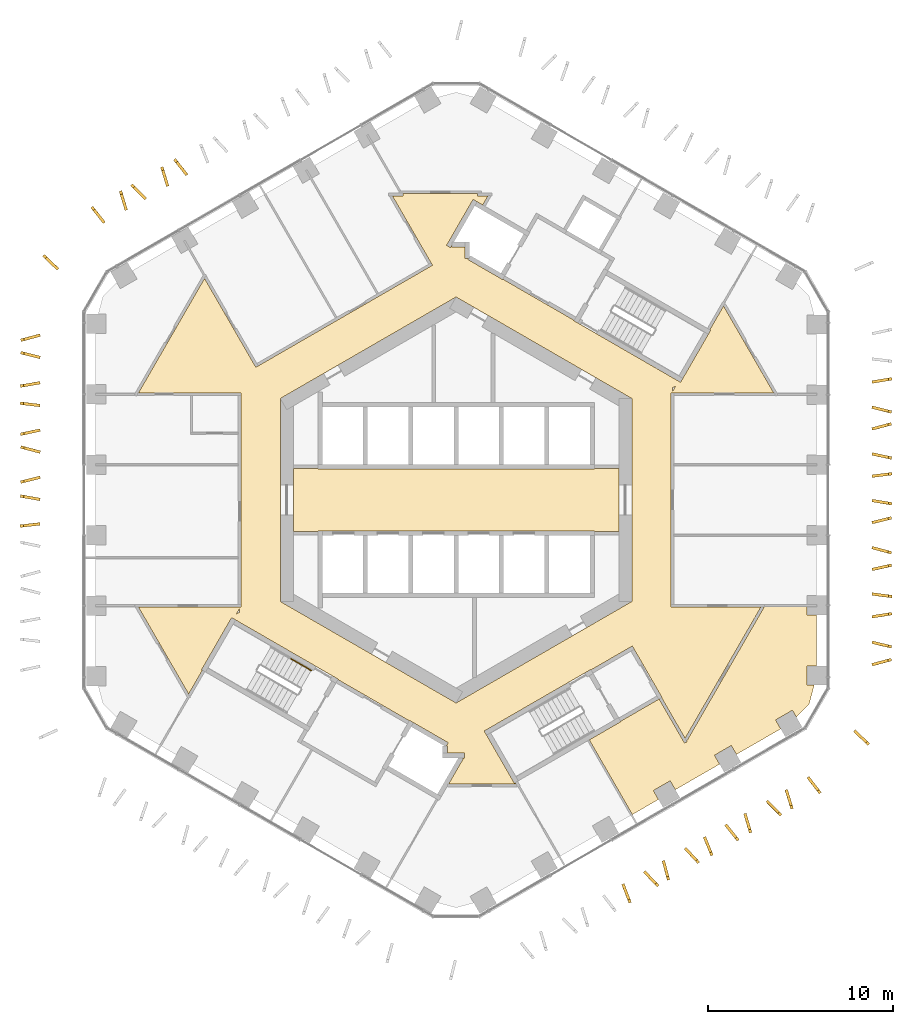
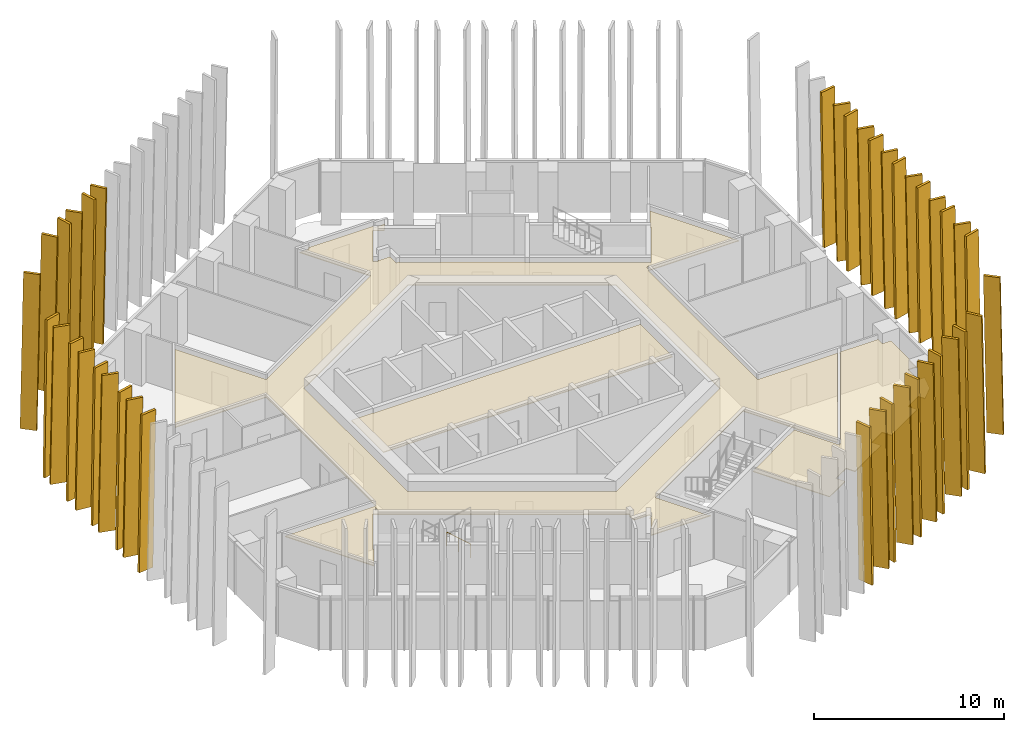
# One storey, part 17 of 18: 39 shading devices, 3 coverings, 1 railing.
"""IFC4 building model written with IfcOpenShell, lengths in metres."""

import ifcopenshell
import ifcopenshell.guid

model = None  # the IFC model being written
_history = None  # IfcOwnerHistory: only IFC2X3 demands one
_inside = {}  # id of a spatial element -> (the spatial element, [elements in it])
_under = {}  # id of a project, library or spatial element -> (it, [spatial elements below it])
_declared = {}  # id of a project -> (the project, [libraries it declares])
_typed = {}  # id of a type object -> (the type object, [elements of that type])
_made_of = {}  # id of a material, layer set ... -> (it, [elements and type objects made of it])


def new_model(schema):
    """Start an empty IFC model of exactly this schema.

    Asked for "IFC4X3", IfcOpenShell would pick the latest addendum, in which some entities
    have other attributes; the version numbers below select the first issue.
    IFC2X3 requires an IfcOwnerHistory on every rooted entity: one is made here for all.
    """
    global model, _history
    if schema == "IFC4X3":
        model = ifcopenshell.file(schema_version=(4, 3, 0, 0))
    else:
        model = ifcopenshell.file(schema=schema)
    _inside.clear()
    _under.clear()
    _declared.clear()
    _typed.clear()
    _made_of.clear()
    _history = None
    if model.schema == "IFC2X3":
        org = make("IfcOrganization", Name="unknown")
        user = make(
            "IfcPersonAndOrganization",
            ThePerson=make("IfcPerson", FamilyName="unknown"),
            TheOrganization=org,
        )
        app = make(
            "IfcApplication",
            ApplicationDeveloper=org,
            Version="unknown",
            ApplicationFullName="unknown",
            ApplicationIdentifier="unknown",
        )
        _history = make(
            "IfcOwnerHistory",
            OwningUser=user,
            OwningApplication=app,
            ChangeAction="ADDED",
            CreationDate=0,
        )
    return model


def make(cls, **values):
    """One entity of the class cls with the attributes given. An attribute that is None is left unset."""
    return model.create_entity(
        cls, **{name: value for name, value in values.items() if value is not None}
    )


def rooted(cls, **values):
    """An entity with a GlobalId (a new one), such as an element, a storey or a relation."""
    return make(cls, GlobalId=ifcopenshell.guid.new(), OwnerHistory=_history, **values)


def si_unit(unit_type, name, prefix=None):
    """IfcSIUnit, for example si_unit("LENGTHUNIT", "METRE", prefix="MILLI")."""
    return make("IfcSIUnit", UnitType=unit_type, Prefix=prefix, Name=name)


def assignment(units):
    """IfcUnitAssignment: the units of a project."""
    return None if units is None else make("IfcUnitAssignment", Units=units)


def point(xyz):
    """IfcCartesianPoint."""
    return None if xyz is None else make("IfcCartesianPoint", Coordinates=xyz)


def direction(xyz):
    """IfcDirection."""
    return None if xyz is None else make("IfcDirection", DirectionRatios=xyz)


def frame(location, z_axis=None, x_axis=None):
    """IfcAxis2Placement3D, a coordinate frame: its origin and axes. An axis left out is left unset."""
    return make(
        "IfcAxis2Placement3D",
        Location=point(location),
        Axis=direction(z_axis),
        RefDirection=direction(x_axis),
    )


def frame_2d(location, x_axis=None):
    """IfcAxis2Placement2D, a coordinate frame in the plane: its origin and x axis."""
    return make(
        "IfcAxis2Placement2D", Location=point(location), RefDirection=direction(x_axis)
    )


def origin():
    """The frame at (0, 0, 0) with its axes left unset."""
    return frame((0.0, 0.0, 0.0))


def origin_2d():
    """The frame at (0, 0) in the plane with its x axis left unset."""
    return frame_2d((0.0, 0.0))


def place(relative_to, where):
    """IfcLocalPlacement: puts the frame where relative to a parent placement (None: the world)."""
    return make(
        "IfcLocalPlacement", PlacementRelTo=relative_to, RelativePlacement=where
    )


def context(
    kind, dimensions, precision=None, world=None, true_north=None, identifier=None
):
    """IfcGeometricRepresentationContext, for example the 3D "Model" context."""
    return make(
        "IfcGeometricRepresentationContext",
        ContextIdentifier=identifier,
        ContextType=kind,
        CoordinateSpaceDimension=dimensions,
        Precision=precision,
        WorldCoordinateSystem=world,
        TrueNorth=true_north,
    )


def subcontext(parent, identifier, kind, view, scale=None):
    """IfcGeometricRepresentationSubContext, for example "Body" below "Model"."""
    return make(
        "IfcGeometricRepresentationSubContext",
        ContextIdentifier=identifier,
        ContextType=kind,
        ParentContext=parent,
        TargetScale=scale,
        TargetView=view,
    )


def project(units=None, contexts=None):
    """IfcProject with its units and contexts."""
    return rooted(
        "IfcProject",
        Name="project",
        RepresentationContexts=contexts,
        UnitsInContext=assignment(units),
    )


def spatial(cls, under=None, at=None, **own):
    """A site, building, storey or space (cls), placed at a placement, below another one or the project."""
    s = rooted(cls, ObjectPlacement=at, **own)
    if under is not None:
        _under.setdefault(under.id(), (under, []))[1].append(s)
    return s


def polyline(points):
    """IfcPolyline through the points."""
    return make("IfcPolyline", Points=[point(p) for p in points])


def profile(cls, at=None, kind="AREA", **sizes):
    """A parametric profile (cls). Its sizes go by their IFC names, for example OverallWidth=200.0."""
    return make(cls, ProfileType=kind, Position=at, **sizes)


def circle(**sizes):
    """IfcCircleProfileDef."""
    return profile("IfcCircleProfileDef", **sizes)


def outline(outer, holes=None, kind="AREA"):
    """IfcArbitraryClosedProfileDef: a profile drawn as a closed curve; with holes, ...WithVoids."""
    if holes is None:
        return make("IfcArbitraryClosedProfileDef", ProfileType=kind, OuterCurve=outer)
    return make(
        "IfcArbitraryProfileDefWithVoids",
        ProfileType=kind,
        OuterCurve=outer,
        InnerCurves=holes,
    )


def extrude(swept, where, along, depth):
    """IfcExtrudedAreaSolid: the profile swept, set in the frame where, extruded along a direction by depth."""
    return make(
        "IfcExtrudedAreaSolid",
        SweptArea=swept,
        Position=where,
        ExtrudedDirection=direction(along),
        Depth=depth,
    )


def shape(context_of_items, identifier, shape_type, items):
    """IfcShapeRepresentation: the items that make up one representation, for example the "Body"."""
    return make(
        "IfcShapeRepresentation",
        ContextOfItems=context_of_items,
        RepresentationIdentifier=identifier,
        RepresentationType=shape_type,
        Items=items,
    )


def material(Name=None, Category=None):
    """IfcMaterial."""
    return make("IfcMaterial", Name=Name, Category=Category)


def layer(
    of_material, thickness, ventilated=None, Name=None, Category=None, Priority=None
):
    """IfcMaterialLayer: one layer of a wall or slab, of a material (None: an air gap)."""
    return make(
        "IfcMaterialLayer",
        Material=of_material,
        LayerThickness=thickness,
        IsVentilated=ventilated,
        Name=Name,
        Category=Category,
        Priority=Priority,
    )


def layer_set(layers, Name=None):
    """IfcMaterialLayerSet."""
    return make("IfcMaterialLayerSet", MaterialLayers=layers, LayerSetName=Name)


def made_of(thing, what):
    """Note that an element or type object is made of a material, layer set ...; save() writes the relation."""
    if what is not None:
        _made_of.setdefault(what.id(), (what, []))[1].append(thing)
    return thing


def type_object(cls, material=None, **own):
    """A type object (cls), such as IfcWallType, which elements share."""
    return made_of(rooted(cls, **own), material)


def element(
    cls,
    number,
    at=None,
    inside=None,
    cuts=None,
    type_object=None,
    material=None,
    context=None,
    identifier="Body",
    shape_type=None,
    held_by="IfcProductDefinitionShape",
    body=None,
    shapes=None,
    **own,
):
    """One element of the class cls, such as IfcWall. Its Tag is "e" and its number.

    at: its placement. inside: the storey or other place that contains it. cuts: it is an
    opening in that element (IfcRelVoidsElement). A single representation is given by context,
    identifier, shape_type and body (its items); several are given by shapes. held_by: the class
    of the entity that holds the representations. save() writes the other relations.
    """
    e = rooted(cls, Tag="e%d" % number, ObjectPlacement=at, **own)
    if body is not None:
        shapes = [shape(context, identifier, shape_type, body)]
    if shapes is not None:
        e.Representation = make(held_by, Representations=shapes)
    if inside is not None:
        _inside.setdefault(inside.id(), (inside, []))[1].append(e)
    if cuts is not None:
        rooted(
            "IfcRelVoidsElement", RelatingBuildingElement=cuts, RelatedOpeningElement=e
        )
    if type_object is not None:
        _typed.setdefault(type_object.id(), (type_object, []))[1].append(e)
    return made_of(e, material)


def aggregate(whole, parts):
    """IfcRelAggregates: a whole, such as a stair, and the parts it consists of."""
    return rooted("IfcRelAggregates", RelatingObject=whole, RelatedObjects=parts)


def save(model, path):
    """Write the relations noted so far, then the file.

    IfcRelAggregates (storeys below a building ...), IfcRelContainedInSpatialStructure (elements
    in a storey), IfcRelDefinesByType, IfcRelAssociatesMaterial and IfcRelDeclares: one each for
    every whole, place, type object, material and project.
    """
    for whole, parts in _under.values():
        aggregate(whole, parts)
    for where, things in _inside.values():
        rooted(
            "IfcRelContainedInSpatialStructure",
            RelatedElements=things,
            RelatingStructure=where,
        )
    for kind, things in _typed.values():
        rooted("IfcRelDefinesByType", RelatedObjects=things, RelatingType=kind)
    for what, things in _made_of.values():
        rooted("IfcRelAssociatesMaterial", RelatedObjects=things, RelatingMaterial=what)
    for by, libraries in _declared.values():
        rooted("IfcRelDeclares", RelatingContext=by, RelatedDefinitions=libraries)
    model.write(path)


model = new_model("IFC4")

# Units and contexts
model_context = context("Model", 3, precision=1e-05, world=origin(), true_north=direction((0.0, 1.0)))
body_context = subcontext(model_context, "Body", "Model", "MODEL_VIEW")
ifc_project = project(units=[si_unit("LENGTHUNIT", "METRE"), si_unit("AREAUNIT", "SQUARE_METRE"), si_unit("VOLUMEUNIT", "CUBIC_METRE"), si_unit("PLANEANGLEUNIT", "RADIAN"), si_unit("MASSUNIT", "GRAM", prefix="KILO")], contexts=[model_context])

# Site, building, storey
site_placement = place(None, origin())
site = spatial("IfcSite", under=ifc_project, at=site_placement, CompositionType="ELEMENT")
building_placement = place(site_placement, origin())
building = spatial("IfcBuilding", under=site, at=building_placement, Name="Ayvan Gate Tower", CompositionType="ELEMENT")
storey_placement = place(building_placement, frame((0.0, 0.0, 83.10009765625)))
storey = spatial("IfcBuildingStorey", under=building, at=storey_placement, Name="L21", CompositionType="ELEMENT", Elevation=83.10009765625)

# Shading devices
ifc_material_1 = material(Name="Bronze anodised aluminium", Category="aluminium")
ifc_layer_1 = layer(ifc_material_1, 0.14990234375)
ifc_layer_set_1 = layer_set([ifc_layer_1], Name="Bronze anodised aluminium")
shading_device_type = type_object("IfcShadingDeviceType", Name="Bronze fin 900 x 150", PredefinedType="USERDEFINED", material=ifc_layer_set_1)
shading_device_1_placement = place(storey_placement, frame((-14.6015625, 17.752685546875, 0.0), z_axis=(0.787427712396, 0.616406984643, 0.000164418412), x_axis=(-0.616406992973, 0.787427723041, -1.756e-08)))
element("IfcShadingDevice", 1, at=shading_device_1_placement, inside=storey, type_object=shading_device_type, Name="Bronze fin FG07.1.11", ObjectType="FIN", PredefinedType="USERDEFINED", context=body_context, shape_type="SweptSolid", body=[
    extrude(outline(polyline([(0.0, 0.0), (0.8999949628963644, 0.0), (0.7159585094871723, 10.07983413319359), (-0.18418694339771083, 10.079834101582643), (0.0, 0.0)])), origin(), (0.0, 0.0, -1.0), 0.14990234375),
])
shading_device_2_placement = place(storey_placement, frame((-15.568359375, 17.156494140625, 0.0), z_axis=(0.956130195961, 0.292942017486, 0.000150872829), x_axis=(-0.29294202082, 0.956130206843, 0.0)))
element("IfcShadingDevice", 2, at=shading_device_2_placement, inside=storey, type_object=shading_device_type, Name="Bronze fin FG07.1.12", ObjectType="FIN", PredefinedType="USERDEFINED", context=body_context, shape_type="SweptSolid", body=[
    extrude(outline(polyline([(0.0, 0.0), (0.9000821195331173, 6.776263578034403e-21), (0.7159354706015045, 10.079834099096672), (-0.18414664893161278, 10.079834099096672), (0.0, 0.0)])), origin(), (0.0, 0.0, -1.0), 0.14990234375),
])
shading_device_3_placement = place(storey_placement, frame((-16.846923828125, 16.45654296875, 0.0), z_axis=(0.707106774549, 0.707106774549, 0.000137012963), x_axis=(-0.707106781187, 0.707106781187, 0.0)))
element("IfcShadingDevice", 3, at=shading_device_3_placement, inside=storey, type_object=shading_device_type, Name="Bronze fin FG07.1.13", ObjectType="FIN", PredefinedType="USERDEFINED", context=body_context, shape_type="SweptSolid", body=[
    extrude(outline(polyline([(0.0, 0.0), (0.900111024684243, 0.0), (0.7160837227445799, 10.079834078987107), (-0.18402730193966302, 10.079834078987107), (0.0, 0.0)])), origin(), (0.0, 0.0, -1.0), 0.14990234375),
])
shading_device_4_placement = place(storey_placement, frame((-17.807373046875, 15.863037109375, 0.0), z_axis=(0.957478388144, 0.288504962683, 0.000150814092), x_axis=(-0.288504965962, 0.957478399033, -1.3687e-08)))
element("IfcShadingDevice", 4, at=shading_device_4_placement, inside=storey, type_object=shading_device_type, Name="Bronze fin FG07.1.14", ObjectType="FIN", PredefinedType="USERDEFINED", context=body_context, shape_type="SweptSolid", body=[
    extrude(outline(polyline([(0.0, 0.0), (0.8998100705580874, 0.0), (0.715939954489622, 10.079834108806471), (-0.18417431122593494, 10.079834084170809), (0.0, 0.0)])), origin(), (0.0, 0.0, -1.0), 0.14990234375),
])
shading_device_5_placement = place(storey_placement, frame((-19.067626953125, 15.17431640625, 0.0), z_axis=(0.784573637715, 0.620035632434, 0.000146677982), x_axis=(-0.620035639105, 0.784573646154, 1.5609e-08)))
element("IfcShadingDevice", 5, at=shading_device_5_placement, inside=storey, type_object=shading_device_type, Name="Bronze fin FG07.1.15", ObjectType="FIN", PredefinedType="USERDEFINED", context=body_context, shape_type="SweptSolid", body=[
    extrude(outline(polyline([(0.0, 0.0), (0.8999971815605223, 0.0), (0.7159402538432998, 10.07983408163103), (-0.18390555182876894, 10.079834109724292), (0.0, 0.0)])), origin(), (0.0, 0.0, -1.0), 0.14990234375),
])
shading_device_6_placement = place(storey_placement, frame((-21.60107421875, 12.653076171875, 0.0), z_axis=(0.690088541854, 0.723724933045, 0.000160285046), x_axis=(-0.723724942342, 0.690088550718, 0.0)))
element("IfcShadingDevice", 6, at=shading_device_6_placement, inside=storey, type_object=shading_device_type, Name="Bronze fin FG07.2.16", ObjectType="FIN", PredefinedType="USERDEFINED", context=body_context, shape_type="SweptSolid", body=[
    extrude(outline(polyline([(0.0, 0.0), (0.9000203660144157, 1.3552527156068805e-20), (0.7159794277981129, 10.079834113857002), (-0.18404093821630274, 10.079834113857002), (0.0, 0.0)])), origin(), (0.0, 0.0, -1.0), 0.14990234375),
])
shading_device_7_placement = place(storey_placement, frame((-22.67529296875, 8.934814453125, 0.0), z_axis=(-0.256041654508, 0.966665737994, 0.000148809911), x_axis=(-0.966665748698, -0.256041657343, 0.0)))
element("IfcShadingDevice", 7, at=shading_device_7_placement, inside=storey, type_object=shading_device_type, Name="Bronze fin FG07.3.17", ObjectType="FIN", PredefinedType="USERDEFINED", context=body_context, shape_type="SweptSolid", body=[
    extrude(outline(polyline([(0.0, 0.0), (0.9001220832250882, 0.0), (0.7161509439496065, 10.079834095980885), (-0.1839711392754817, 10.079834095980885), (0.0, 0.0)])), origin(), (0.0, 0.0, -1.0), 0.14990234375),
])
shading_device_8_placement = place(storey_placement, frame((-22.63916015625, 7.820068359375, 0.0), z_axis=(0.242471805681, 0.970158443985, 0.000130437409), x_axis=(-0.970158452238, 0.242471807744, 0.0)))
element("IfcShadingDevice", 8, at=shading_device_8_placement, inside=storey, type_object=shading_device_type, Name="Bronze fin FG07.3.18", ObjectType="FIN", PredefinedType="USERDEFINED", context=body_context, shape_type="SweptSolid", body=[
    extrude(outline(polyline([(0.0, 0.0), (0.9001529735789623, 6.776263578034403e-21), (0.7161196801244187, 10.079834070123738), (-0.1840332934545436, 10.079834070123738), (0.0, 0.0)])), origin(), (0.0, 0.0, -1.0), 0.14990234375),
])
shading_device_9_placement = place(storey_placement, frame((-22.675537109375, 6.380615234375, 0.0), z_axis=(-0.170333792144, 0.985386412196, 0.000133839045), x_axis=(-0.985386421022, -0.17033379367, 0.0)))
element("IfcShadingDevice", 9, at=shading_device_9_placement, inside=storey, type_object=shading_device_type, Name="Bronze fin FG07.3.19", ObjectType="FIN", PredefinedType="USERDEFINED", context=body_context, shape_type="SweptSolid", body=[
    extrude(outline(polyline([(0.0, 0.0), (0.9001168188468391, -3.3881317890172014e-21), (0.7160156094079797, 10.079834074654482), (-0.18410120943885955, 10.079834074654482), (0.0, 0.0)])), origin(), (0.0, 0.0, -1.0), 0.14990234375),
])
shading_device_10_placement = place(storey_placement, frame((-22.656982421875, 5.201416015625, 0.0), z_axis=(0.115550647923, 0.993301579094, 0.000143995984), x_axis=(-0.993301589392, 0.115550649121, 0.0)))
element("IfcShadingDevice", 10, at=shading_device_10_placement, inside=storey, type_object=shading_device_type, Name="Bronze fin FG07.3.20", ObjectType="FIN", PredefinedType="USERDEFINED", context=body_context, shape_type="SweptSolid", body=[
    extrude(outline(polyline([(0.0, 0.0), (0.9000720207219933, 1.6940658945086007e-21), (0.7160544916123478, 10.079834088876893), (-0.18401752910964547, 10.079834088876893), (0.0, 0.0)])), origin(), (0.0, 0.0, -1.0), 0.14990234375),
])
shading_device_11_placement = place(storey_placement, frame((-22.67578125, 3.813232421875, 0.0), z_axis=(-0.208334026323, 0.978057723837, 0.000149392354), x_axis=(-0.978057734752, -0.208334028647, -4.221e-09)))
element("IfcShadingDevice", 11, at=shading_device_11_placement, inside=storey, type_object=shading_device_type, Name="Bronze fin FG07.3.21", ObjectType="FIN", PredefinedType="USERDEFINED", context=body_context, shape_type="SweptSolid", body=[
    extrude(outline(polyline([(0.0, 0.0), (0.9001163880653519, 0.0), (0.7159749626323715, 10.079834099878273), (-0.1839026418063321, 10.079834092280768), (0.0, 0.0)])), origin(), (0.0, 0.0, -1.0), 0.14990234375),
])
shading_device_12_placement = place(storey_placement, frame((-22.636962890625, 2.70703125, 0.0), z_axis=(0.256108802853, 0.96664794975, 0.000149486335), x_axis=(-0.96664796055, 0.256108805714, 0.0)))
element("IfcShadingDevice", 12, at=shading_device_12_placement, inside=storey, type_object=shading_device_type, Name="Bronze fin FG07.3.22", ObjectType="FIN", PredefinedType="USERDEFINED", context=body_context, shape_type="SweptSolid", body=[
    extrude(outline(polyline([(0.0, 0.0), (0.899886083016155, 1.3552527156068805e-20), (0.7158727237248856, 10.079834096997818), (-0.18401335929126947, 10.079834096997818), (0.0, 0.0)])), origin(), (0.0, 0.0, -1.0), 0.14990234375),
])
shading_device_13_placement = place(storey_placement, frame((-22.675537109375, 1.257568359375, 0.0), z_axis=(-0.242918567234, 0.970046673845, 0.000142321437), x_axis=(-0.970046683669, -0.242918569697, 1.8725e-08)))
element("IfcShadingDevice", 13, at=shading_device_13_placement, inside=storey, type_object=shading_device_type, Name="Bronze fin FG07.3.23", ObjectType="FIN", PredefinedType="USERDEFINED", context=body_context, shape_type="SweptSolid", body=[
    extrude(outline(polyline([(0.0, 0.0), (0.900034662902165, 0.0), (0.715883551708224, 10.079834073055824), (-0.18409180490251112, 10.079834106760387), (0.0, 0.0)])), origin(), (0.0, 0.0, -1.0), 0.14990234375),
])
shading_device_14_placement = place(storey_placement, frame((-22.649658203125, 0.135986328125, 0.0), z_axis=(0.172663272273, 0.984980898075, 0.000157589746), x_axis=(-0.984980910307, 0.172663274414, 2.1054e-08)))
element("IfcShadingDevice", 14, at=shading_device_14_placement, inside=storey, type_object=shading_device_type, Name="Bronze fin FG07.3.24", ObjectType="FIN", PredefinedType="USERDEFINED", context=body_context, shape_type="SweptSolid", body=[
    extrude(outline(polyline([(0.0, 0.0), (0.8999705878542402, 0.0), (0.7160467131971832, 10.079834094463218), (-0.1839660287767872, 10.079834132360318), (0.0, 0.0)])), origin(), (0.0, 0.0, -1.0), 0.14990234375),
])
shading_device_15_placement = place(storey_placement, frame((-22.67431640625, -1.236572265625, 0.0), z_axis=(-0.112039218744, 0.993703773023, 0.000157931547), x_axis=(-0.993703785416, -0.112039220141, 0.0)))
element("IfcShadingDevice", 15, at=shading_device_15_placement, inside=storey, type_object=shading_device_type, Name="Bronze fin FG07.3.25", ObjectType="FIN", PredefinedType="USERDEFINED", context=body_context, shape_type="SweptSolid", body=[
    extrude(outline(polyline([(0.0, 0.0), (0.8999534091546, 0.0), (0.7158672523594246, 10.079834110082496), (-0.18408615679517543, 10.079834110082496), (0.0, 0.0)])), origin(), (0.0, 0.0, -1.0), 0.14990234375),
])
shading_device_16_placement = place(storey_placement, frame((9.01171875, -20.95361328125, 0.0), z_axis=(-0.933016610417, -0.359833270451, 0.000148871612), x_axis=(0.359833274437, -0.933016620756, -1.1576e-08)))
element("IfcShadingDevice", 16, at=shading_device_16_placement, inside=storey, type_object=shading_device_type, Name="Bronze fin FG07.7.54", ObjectType="FIN", PredefinedType="USERDEFINED", context=body_context, shape_type="SweptSolid", body=[
    extrude(outline(polyline([(0.0, 0.0), (0.8998493849329079, 0.0), (0.7159790203617783, 10.079834104361387), (-0.18418600175257338, 10.079834083525036), (0.0, 0.0)])), origin(), (0.0, 0.0, -1.0), 0.14990234375),
])
shading_device_17_placement = place(storey_placement, frame((10.245849609375, -20.268310546875, 0.0), z_axis=(-0.72531087492, -0.688421466174, 0.000140119827), x_axis=(0.688421472932, -0.725310882041, 0.0)))
element("IfcShadingDevice", 17, at=shading_device_17_placement, inside=storey, type_object=shading_device_type, Name="Bronze fin FG07.7.55", ObjectType="FIN", PredefinedType="USERDEFINED", context=body_context, shape_type="SweptSolid", body=[
    extrude(outline(polyline([(0.0, 0.0), (0.9000720207219932, 0.0), (0.7159452251740904, 10.079834083326544), (-0.18412679554790284, 10.079834083326544), (0.0, 0.0)])), origin(), (0.0, 0.0, -1.0), 0.14990234375),
])
shading_device_18_placement = place(storey_placement, frame((11.17529296875, -19.686279296875, 0.0), z_axis=(-0.965860210546, -0.259063755392, 0.00015596749), x_axis=(0.259063758542, -0.965860222294, -5.48e-09)))
element("IfcShadingDevice", 18, at=shading_device_18_placement, inside=storey, type_object=shading_device_type, Name="Bronze fin FG07.7.56", ObjectType="FIN", PredefinedType="USERDEFINED", context=body_context, shape_type="SweptSolid", body=[
    extrude(outline(polyline([(0.0, 0.0), (0.9001059914543591, -6.776263578034403e-21), (0.7160138921184883, 10.079834110898851), (-0.18385629361753722, 10.079834101035514), (0.0, 0.0)])), origin(), (0.0, 0.0, -1.0), 0.14990234375),
])
shading_device_19_placement = place(storey_placement, frame((12.44384765625, -18.999267578125, 0.0), z_axis=(-0.733845814202, -0.679316051298, 0.000153055751), x_axis=(0.679316059255, -0.733845822798, 0.0)))
element("IfcShadingDevice", 19, at=shading_device_19_placement, inside=storey, type_object=shading_device_type, Name="Bronze fin FG07.7.57", ObjectType="FIN", PredefinedType="USERDEFINED", context=body_context, shape_type="SweptSolid", body=[
    extrude(outline(polyline([(0.0, 0.0), (0.8999170808211545, 0.0), (0.7160388177984891, 10.079834102440415), (-0.18387826302266547, 10.079834102440415), (0.0, 0.0)])), origin(), (0.0, 0.0, -1.0), 0.14990234375),
])
shading_device_20_placement = place(storey_placement, frame((13.423095703125, -18.40966796875, 0.0), z_axis=(-0.925624712142, -0.378442694443, 0.000138904903), x_axis=(0.378442698094, -0.925624721072, 0.0)))
element("IfcShadingDevice", 20, at=shading_device_20_placement, inside=storey, type_object=shading_device_type, Name="Bronze fin FG07.7.58", ObjectType="FIN", PredefinedType="USERDEFINED", context=body_context, shape_type="SweptSolid", body=[
    extrude(outline(polyline([(0.0, 0.0), (0.8999411894868824, -6.776263578034403e-21), (0.7158832646293104, 10.079834081618044), (-0.184057924857572, 10.079834081618044), (0.0, 0.0)])), origin(), (0.0, 0.0, -1.0), 0.14990234375),
])
shading_device_21_placement = place(storey_placement, frame((14.623291015625, -17.740478515625, 0.0), z_axis=(-0.780180221214, -0.625554794896, 0.00014494333), x_axis=(0.625554801467, -0.78018022941, 0.0)))
element("IfcShadingDevice", 21, at=shading_device_21_placement, inside=storey, type_object=shading_device_type, Name="Bronze fin FG07.7.59", ObjectType="FIN", PredefinedType="USERDEFINED", context=body_context, shape_type="SweptSolid", body=[
    extrude(outline(polyline([(0.0, 0.0), (0.8999823515539183, 1.3552527156068805e-20), (0.7159001278977756, 10.079834090256446), (-0.18408222365614266, 10.079834090256446), (0.0, 0.0)])), origin(), (0.0, 0.0, -1.0), 0.14990234375),
])
shading_device_22_placement = place(storey_placement, frame((15.58935546875, -17.14306640625, 0.0), z_axis=(-0.958280579625, -0.285829159296, 0.000149696754), x_axis=(0.285829162502, -0.958280590361, 1.9459e-08)))
element("IfcShadingDevice", 22, at=shading_device_22_placement, inside=storey, type_object=shading_device_type, Name="Bronze fin FG07.7.60", ObjectType="FIN", PredefinedType="USERDEFINED", context=body_context, shape_type="SweptSolid", body=[
    extrude(outline(polyline([(0.0, 0.0), (0.8998806109457017, 6.776263578034403e-21), (0.7158428990010304, 10.079834083385201), (-0.18396792943429485, 10.07983411840618), (0.0, 0.0)])), origin(), (0.0, 0.0, -1.0), 0.14990234375),
])
shading_device_23_placement = place(storey_placement, frame((16.869384765625, -16.443603515625, 0.0), z_axis=(-0.707310189883, -0.706903300033, 0.000140321005), x_axis=(0.706903306991, -0.707310196848, -1.3452e-08)))
element("IfcShadingDevice", 23, at=shading_device_23_placement, inside=storey, type_object=shading_device_type, Name="Bronze fin FG07.7.61", ObjectType="FIN", PredefinedType="USERDEFINED", context=body_context, shape_type="SweptSolid", body=[
    extrude(outline(polyline([(0.0, 0.0), (0.9001110867671356, 0.0), (0.7159105763404492, 10.079834093241532), (-0.1840278272731591, 10.079834069026722), (0.0, 0.0)])), origin(), (0.0, 0.0, -1.0), 0.14990234375),
])
shading_device_24_placement = place(storey_placement, frame((17.823486328125, -15.85498046875, 0.0), z_axis=(-0.955411674308, -0.295277003829, 0.000153640838), x_axis=(0.295277007311, -0.955411685586, -1.9911e-08)))
element("IfcShadingDevice", 24, at=shading_device_24_placement, inside=storey, type_object=shading_device_type, Name="Bronze fin FG07.7.62", ObjectType="FIN", PredefinedType="USERDEFINED", context=body_context, shape_type="SweptSolid", body=[
    extrude(outline(polyline([(0.0, 0.0), (0.8999563819791856, 1.3552527156068805e-20), (0.715974962881612, 10.079834117600338), (-0.1840535082106866, 10.07983408176144), (0.0, 0.0)])), origin(), (0.0, 0.0, -1.0), 0.14990234375),
])
shading_device_25_placement = place(storey_placement, frame((19.068603515625, -15.17333984375, 0.0), z_axis=(-0.791159714707, -0.611609584046, 0.000150093747), x_axis=(0.611609590936, -0.791159723618, 0.0)))
element("IfcShadingDevice", 25, at=shading_device_25_placement, inside=storey, type_object=shading_device_type, Name="Bronze fin FG07.7.63", ObjectType="FIN", PredefinedType="USERDEFINED", context=body_context, shape_type="SweptSolid", body=[
    extrude(outline(polyline([(0.0, 0.0), (0.9001446634165029, -1.3552527156068805e-20), (0.7161627767862444, 10.07983409791492), (-0.1839818866302586, 10.07983409791492), (0.0, 0.0)])), origin(), (0.0, 0.0, -1.0), 0.14990234375),
])
shading_device_26_placement = place(storey_placement, frame((21.602783203125, -12.65185546875, 0.0), z_axis=(-0.685910277826, -0.727686106493, 0.000145570234), x_axis=(0.727686114206, -0.68591028509, 2.7911e-08)))
element("IfcShadingDevice", 26, at=shading_device_26_placement, inside=storey, type_object=shading_device_type, Name="Bronze fin FG07.8.64", ObjectType="FIN", PredefinedType="USERDEFINED", context=body_context, shape_type="SweptSolid", body=[
    extrude(outline(polyline([(0.0, 0.0), (0.8999909778128284, 0.0), (0.715921876634339, 10.079834071192495), (-0.18405890200145913, 10.079834121430874), (0.0, 0.0)])), origin(), (0.0, 0.0, -1.0), 0.14990234375),
])
shading_device_27_placement = place(storey_placement, frame((22.67529296875, -8.928955078125, 0.0), z_axis=(0.257696413969, -0.966225922694, 0.000156657271), x_axis=(0.96622593455, 0.257696417132, 0.0)))
element("IfcShadingDevice", 27, at=shading_device_27_placement, inside=storey, type_object=shading_device_type, Name="Bronze fin FG07.9.65", ObjectType="FIN", PredefinedType="USERDEFINED", context=body_context, shape_type="SweptSolid", body=[
    extrude(outline(polyline([(0.0, 0.0), (0.9000264587751636, 6.776263578034403e-21), (0.7159952432862877, 10.079834108062126), (-0.18403121548887585, 10.079834108062126), (0.0, 0.0)])), origin(), (0.0, 0.0, -1.0), 0.14990234375),
])
shading_device_28_placement = place(storey_placement, frame((22.64013671875, -7.802734375, 0.0), z_axis=(-0.237106061783, -0.97148376115, 0.000131481602), x_axis=(0.971483769547, -0.237106063833, 0.0)))
element("IfcShadingDevice", 28, at=shading_device_28_placement, inside=storey, type_object=shading_device_type, Name="Bronze fin FG07.9.66", ObjectType="FIN", PredefinedType="USERDEFINED", context=body_context, shape_type="SweptSolid", body=[
    extrude(outline(polyline([(0.0, 0.0), (0.8999301949556973, 0.0), (0.7159013494273118, 10.07983407150212), (-0.18402884552838544, 10.07983407150212), (0.0, 0.0)])), origin(), (0.0, 0.0, -1.0), 0.14990234375),
])
shading_device_29_placement = place(storey_placement, frame((22.675537109375, -6.359130859375, 0.0), z_axis=(0.158963775678, -0.987284405429, 0.000144284461), x_axis=(0.987284415706, 0.158963777334, 3.111e-09)))
element("IfcShadingDevice", 29, at=shading_device_29_placement, inside=storey, type_object=shading_device_type, Name="Bronze fin FG07.9.67", ObjectType="FIN", PredefinedType="USERDEFINED", context=body_context, shape_type="SweptSolid", body=[
    extrude(outline(polyline([(0.0, 0.0), (0.8998732329764237, 0.0), (0.7158769849638826, 10.079834087068692), (-0.18423728424684427, 10.079834092669051), (0.0, 0.0)])), origin(), (0.0, 0.0, -1.0), 0.14990234375),
])
shading_device_30_placement = place(storey_placement, frame((22.655517578125, -5.17822265625, 0.0), z_axis=(-0.128173603798, -0.991751736478, 0.000143116985), x_axis=(0.991751746634, -0.128173605113, -1.9251e-08)))
element("IfcShadingDevice", 30, at=shading_device_30_placement, inside=storey, type_object=shading_device_type, Name="Bronze fin FG07.9.68", ObjectType="FIN", PredefinedType="USERDEFINED", context=body_context, shape_type="SweptSolid", body=[
    extrude(outline(polyline([(0.0, 0.0), (0.900017212137141, -3.3881317890172014e-21), (0.715925114754638, 10.079834101387236), (-0.18406080499844196, 10.079834066735367), (0.0, 0.0)])), origin(), (0.0, 0.0, -1.0), 0.14990234375),
])
shading_device_31_placement = place(storey_placement, frame((22.67578125, -3.78955078125, 0.0), z_axis=(0.216470873482, -0.976289064741, 0.000151661554), x_axis=(0.976289075969, 0.216470875972, 0.0)))
element("IfcShadingDevice", 31, at=shading_device_31_placement, inside=storey, type_object=shading_device_type, Name="Bronze fin FG07.9.69", ObjectType="FIN", PredefinedType="USERDEFINED", context=body_context, shape_type="SweptSolid", body=[
    extrude(outline(polyline([(0.0, 0.0), (0.9000019881438442, 0.0), (0.7160393473927279, 10.079834100299278), (-0.18396264075111643, 10.079834100299278), (0.0, 0.0)])), origin(), (0.0, 0.0, -1.0), 0.14990234375),
])
shading_device_32_placement = place(storey_placement, frame((22.63671875, -2.694091796875, 0.0), z_axis=(-0.257823030378, -0.966192145404, 0.000152207282), x_axis=(0.966192156596, -0.257823033361, 1.9946e-08)))
element("IfcShadingDevice", 32, at=shading_device_32_placement, inside=storey, type_object=shading_device_type, Name="Bronze fin FG07.9.70", ObjectType="FIN", PredefinedType="USERDEFINED", context=body_context, shape_type="SweptSolid", body=[
    extrude(outline(polyline([(0.0, 0.0), (0.9000264510472573, -6.776263578034403e-21), (0.7159479644722307, 10.079834086854817), (-0.18414143165153088, 10.079834122759754), (0.0, 0.0)])), origin(), (0.0, 0.0, -1.0), 0.14990234375),
])
shading_device_33_placement = place(storey_placement, frame((22.67578125, -1.252685546875, 0.0), z_axis=(0.237808653036, -0.97131201126, 0.000146024593), x_axis=(0.971312021615, 0.237808655574, 1.9241e-08)))
element("IfcShadingDevice", 33, at=shading_device_33_placement, inside=storey, type_object=shading_device_type, Name="Bronze fin FG07.9.71", ObjectType="FIN", PredefinedType="USERDEFINED", context=body_context, shape_type="SweptSolid", body=[
    extrude(outline(polyline([(0.0, 0.0), (0.8998669991017071, 3.3881317890172014e-21), (0.7157066144453097, 10.07983407807151), (-0.18410232590259504, 10.079834112698187), (0.0, 0.0)])), origin(), (0.0, 0.0, -1.0), 0.14990234375),
])
shading_device_34_placement = place(storey_placement, frame((22.651123046875, -0.132568359375, 0.0), z_axis=(-0.163299176313, -0.986576585135, 0.000143800506), x_axis=(0.986576595336, -0.163299178002, 0.0)))
element("IfcShadingDevice", 34, at=shading_device_34_placement, inside=storey, type_object=shading_device_type, Name="Bronze fin FG07.9.72", ObjectType="FIN", PredefinedType="USERDEFINED", context=body_context, shape_type="SweptSolid", body=[
    extrude(outline(polyline([(0.0, 0.0), (0.9000207964825616, 0.0), (0.7159163032460958, 10.079834088593358), (-0.18410449323646585, 10.079834088593358), (0.0, 0.0)])), origin(), (0.0, 0.0, -1.0), 0.14990234375),
])
shading_device_35_placement = place(storey_placement, frame((22.674560546875, 1.233642578125, 0.0), z_axis=(0.121797533543, -0.992554955976, 0.000142093792), x_axis=(0.992554965996, 0.121797534772, 0.0)))
element("IfcShadingDevice", 35, at=shading_device_35_placement, inside=storey, type_object=shading_device_type, Name="Bronze fin FG07.9.73", ObjectType="FIN", PredefinedType="USERDEFINED", context=body_context, shape_type="SweptSolid", body=[
    extrude(outline(polyline([(0.0, 0.0), (0.9000111605693982, 0.0), (0.7159539687917011, 10.079834086134179), (-0.18405719177769714, 10.079834086134179), (0.0, 0.0)])), origin(), (0.0, 0.0, -1.0), 0.14990234375),
])
shading_device_36_placement = place(storey_placement, frame((22.64404296875, 2.379638671875, 0.0), z_axis=(-0.21226071319, -0.977213059764, 0.000159571291), x_axis=(0.977213072206, -0.212260715889, 1.6558e-08)))
element("IfcShadingDevice", 36, at=shading_device_36_placement, inside=storey, type_object=shading_device_type, Name="Bronze fin FG07.9.74", ObjectType="FIN", PredefinedType="USERDEFINED", context=body_context, shape_type="SweptSolid", body=[
    extrude(outline(polyline([(0.0, 0.0), (0.8998802162869165, 0.0), (0.7159236236920855, 10.07983410085195), (-0.1842469914688778, 10.079834130657646), (0.0, 0.0)])), origin(), (0.0, 0.0, -1.0), 0.14990234375),
])
shading_device_37_placement = place(storey_placement, frame((22.67529296875, 3.812744140625, 0.0), z_axis=(0.256869084864, -0.966446197857, 0.000141026152), x_axis=(0.966446207468, 0.256869087418, 0.0)))
element("IfcShadingDevice", 37, at=shading_device_37_placement, inside=storey, type_object=shading_device_type, Name="Bronze fin FG07.9.75", ObjectType="FIN", PredefinedType="USERDEFINED", context=body_context, shape_type="SweptSolid", body=[
    extrude(outline(polyline([(0.0, 0.0), (0.9000739411603745, 6.776263578034403e-21), (0.7160414411881744, 10.079834084610765), (-0.18403249997220017, 10.079834084610765), (0.0, 0.0)])), origin(), (0.0, 0.0, -1.0), 0.14990234375),
])
shading_device_38_placement = place(storey_placement, frame((22.639404296875, 4.898681640625, 0.0), z_axis=(-0.24087581527, -0.970555931345, 0.000160466247), x_axis=(0.970555943841, -0.240875818371, 0.0)))
element("IfcShadingDevice", 38, at=shading_device_38_placement, inside=storey, type_object=shading_device_type, Name="Bronze fin FG07.9.76", ObjectType="FIN", PredefinedType="USERDEFINED", context=body_context, shape_type="SweptSolid", body=[
    extrude(outline(polyline([(0.0, 0.0), (0.9000358627379677, 6.776263578034403e-21), (0.7160049806927278, 10.079834114149927), (-0.18403088204523987, 10.079834114149927), (0.0, 0.0)])), origin(), (0.0, 0.0, -1.0), 0.14990234375),
])
shading_device_39_placement = place(storey_placement, frame((22.675537109375, 6.32763671875, 0.0), z_axis=(0.167653498284, -0.985845975347, 0.000131926265), x_axis=(0.985845983926, 0.167653499743, 0.0)))
element("IfcShadingDevice", 39, at=shading_device_39_placement, inside=storey, type_object=shading_device_type, Name="Bronze fin FG07.9.77", ObjectType="FIN", PredefinedType="USERDEFINED", context=body_context, shape_type="SweptSolid", body=[
    extrude(outline(polyline([(0.0, 0.0), (0.8999448653393356, 0.0), (0.7159225300097003, 10.079834072092437), (-0.18402233532963533, 10.079834072092437), (0.0, 0.0)])), origin(), (0.0, 0.0, -1.0), 0.14990234375),
])

# Coverings
ifc_material_2 = material(Name="Plasterboard suspended ceiling")
ifc_layer_2 = layer(ifc_material_2, 0.050048828125)
ifc_layer_set_2 = layer_set([ifc_layer_2], Name="Plasterboard suspended ceiling")
covering_type = type_object("IfcCoveringType", Name="CT-SUSP-50", PredefinedType="CEILING", material=ifc_layer_set_2)
covering_1_placement = place(storey_placement, frame((0.0, 0.0, 2.699951171875)))
element("IfcCovering", 40, at=covering_1_placement, inside=storey, type_object=covering_type, Name="Ceiling Lift Lobby L21", PredefinedType="CEILING", context=body_context, shape_type="SweptSolid", body=[
    extrude(outline(polyline([(7.47509765625, -1.675048828125), (-7.47509765625, -1.675048828125), (-7.47509765625, -1.699951171875), (-8.800048828125, -1.699951171875), (-8.800048828125, 1.699951171875), (-7.47509765625, 1.699951171875), (-7.47509765625, 1.675048828125), (7.47509765625, 1.675048828125), (7.47509765625, 1.699951171875), (8.800048828125, 1.699951171875), (8.800048828125, -1.699951171875), (7.47509765625, -1.699951171875), (7.47509765625, -1.675048828125)])), origin(), (0.0, 0.0, 1.0), 0.050048828125),
])
covering_2_placement = place(storey_placement, frame((0.0, 0.0, 2.699951171875)))
element("IfcCovering", 41, at=covering_2_placement, inside=storey, type_object=covering_type, Name="Ceiling Ring Corridor L21", PredefinedType="CEILING", context=body_context, shape_type="SweptSolid", body=[
    extrude(outline(polyline([(-11.914794921875, -6.48681640625), (-12.131103515625, -6.36181640625), (-13.756103515625, -9.17626953125), (-13.712890625, -9.201416015625), (-14.45458984375, -10.48583984375), (-17.168212890625, -5.785888671875), (-11.625, -5.785888671875), (-11.625, 5.785888671875), (-17.168212890625, 5.785888671875), (-13.5947265625, 11.97509765625), (-10.8232421875, 7.1748046875), (-10.710693359375, 7.23974609375), (-1.2783203125, 12.685302734375), (-1.34326171875, 12.798095703125), (-3.443603515625, 16.43603515625), (-2.86328125, 16.43603515625), (-2.86328125, 16.560791015625), (1.143798828125, 16.560791015625), (1.143798828125, 16.43603515625), (1.72412109375, 16.43603515625), (1.4384765625, 15.941650390625), (1.135498046875, 16.116455078125), (0.918701171875, 16.241455078125), (-0.511474609375, 13.76416015625), (-0.294921875, 13.63916015625), (-0.215576171875, 13.776611328125), (-0.215576171875, 13.68505859375), (0.47509765625, 13.68505859375), (0.47509765625, 13.03857421875), (0.672119140625, 13.03857421875), (0.645751953125, 12.992919921875), (2.518310546875, 11.91162109375), (2.53076171875, 11.933349609375), (6.384521484375, 9.70849609375), (6.3720703125, 9.686767578125), (6.588623046875, 9.561767578125), (12.131103515625, 6.36181640625), (12.24609375, 6.56103515625), (13.631103515625, 8.959716796875), (13.756103515625, 9.176513671875), (13.712890625, 9.201416015625), (14.45458984375, 10.48583984375), (17.168212890625, 5.785888671875), (11.625, 5.785888671875), (11.625, -5.785888671875), (16.475341796875, -5.785888671875), (12.3759765625, -12.885986328125), (11.102294921875, -10.6796875), (11.123779296875, -10.667236328125), (9.623779296875, -8.069091796875), (9.52392578125, -7.89599609375), (7.2939453125, -9.183349609375), (7.281494140625, -9.16162109375), (1.522216796875, -12.48681640625), (1.647216796875, -12.703369140625), (3.147216796875, -15.30126953125), (3.190673828125, -15.2763671875), (3.239501953125, -15.36083984375), (-0.410400390625, -15.36083984375), (0.386474609375, -13.980712890625), (0.30712890625, -13.93505859375), (0.465576171875, -13.93505859375), (0.465576171875, -13.68505859375), (-0.47509765625, -13.68505859375), (-0.47509765625, -13.28857421875), (-0.52783203125, -13.28857421875), (-0.42919921875, -13.117919921875), (-2.284423828125, -12.046630859375), (-2.518310546875, -11.91162109375), (-2.53076171875, -11.933349609375), (-6.384521484375, -9.70849609375), (-6.3720703125, -9.686767578125), (-11.91455078125, -6.48681640625), (-11.914794921875, -6.48681640625)]), holes=[polyline([(11.870849609375, 6.160888671875), (11.699951171875, 6.062255859375), (11.699951171875, 5.864990234375), (11.870849609375, 6.160888671875)]), polyline([(-8.771728515625, -5.9052734375), (0.0, -10.9697265625), (8.38720703125, -6.127197265625), (8.771728515625, -5.9052734375), (9.5, -5.48486328125), (9.5, 5.48486328125), (8.771728515625, 5.9052734375), (0.0, 10.9697265625), (-8.771728515625, 5.9052734375), (-9.5, 5.48486328125), (-9.5, -5.48486328125), (-8.771728515625, -5.9052734375)]), polyline([(-11.870849609375, -6.160888671875), (-11.699951171875, -6.062255859375), (-11.699951171875, -5.864990234375), (-11.870849609375, -6.160888671875)])]), origin(), (0.0, 0.0, 1.0), 0.050048828125),
])
covering_3_placement = place(storey_placement, frame((0.0, 0.0, 2.699951171875)))
element("IfcCovering", 42, at=covering_3_placement, inside=storey, type_object=covering_type, Name="Ceiling Gym L21", PredefinedType="CEILING", context=body_context, shape_type="SweptSolid", body=[
    extrude(outline(polyline([(10.95068359375, -10.76708984375), (10.972412109375, -10.754638671875), (12.348388671875, -13.138427734375), (12.478515625, -13.0634765625), (12.430908203125, -12.98095703125), (12.478515625, -13.00830078125), (16.6328125, -5.813232421875), (16.585205078125, -5.785888671875), (16.68017578125, -5.785888671875), (16.68017578125, -5.7607421875), (18.960693359375, -5.7607421875), (18.960693359375, -6.215087890625), (19.485595703125, -6.215087890625), (19.485595703125, -8.958740234375), (18.960693359375, -8.958740234375), (18.960693359375, -10.0087890625), (19.35400390625, -10.0087890625), (19.08349609375, -11.017822265625), (18.38232421875, -11.71923828125), (18.177734375, -11.364501953125), (17.268310546875, -11.8896484375), (17.545654296875, -12.3701171875), (15.152099609375, -13.751953125), (14.874755859375, -13.271484375), (13.96533203125, -13.796630859375), (14.24267578125, -14.277099609375), (13.3798828125, -14.775146484375), (11.84912109375, -15.658935546875), (11.571533203125, -15.1787109375), (10.662353515625, -15.70361328125), (10.939697265625, -16.18408203125), (9.5263671875, -17.0), (7.196044921875, -12.9638671875), (8.906494140625, -11.976318359375), (8.893798828125, -11.95458984375), (10.95068359375, -10.76708984375)])), origin(), (0.0, 0.0, 1.0), 0.050048828125),
])

# Railing
ifc_material_3 = material(Name="Stainless steel balustrade", Category="steel")
railing_type = type_object("IfcRailingType", Name="RL-HANDRAIL-900", PredefinedType="HANDRAIL", material=ifc_material_3)
railing_placement = place(storey_placement, frame((-7.8310546875, -9.2138671875, 0.169921875)))
element("IfcRailing", 43, at=railing_placement, inside=storey, type_object=railing_type, Name="L21 STS2 stair handrail 1", PredefinedType="HANDRAIL", context=body_context, shape_type="SweptSolid", body=[
    extrude(circle(Radius=0.02392578125, at=origin_2d()), frame((0.0, 0.0, 0.8759765625), z_axis=(-0.740356597536, 0.427319915356, 0.518912129772), x_axis=(-0.499890179513, -0.866088799389, 0.0)), (0.0, 0.0, 1.0), 1.47412109375),
    extrude(circle(Radius=0.02099609375, at=origin_2d()), origin(), (0.0, 0.0, 1.0), 0.851806640625),
    extrude(circle(Radius=0.02099609375, at=origin_2d()), frame((-0.545654296875, 0.31494140625, 0.38232421875)), (0.0, 0.0, 1.0), 0.851806640625),
    extrude(circle(Radius=0.02099609375, at=origin_2d()), frame((-1.09130859375, 0.6298828125, 0.764892578125)), (0.0, 0.0, 1.0), 0.851806640625),
])

save(model, "model.ifc")
